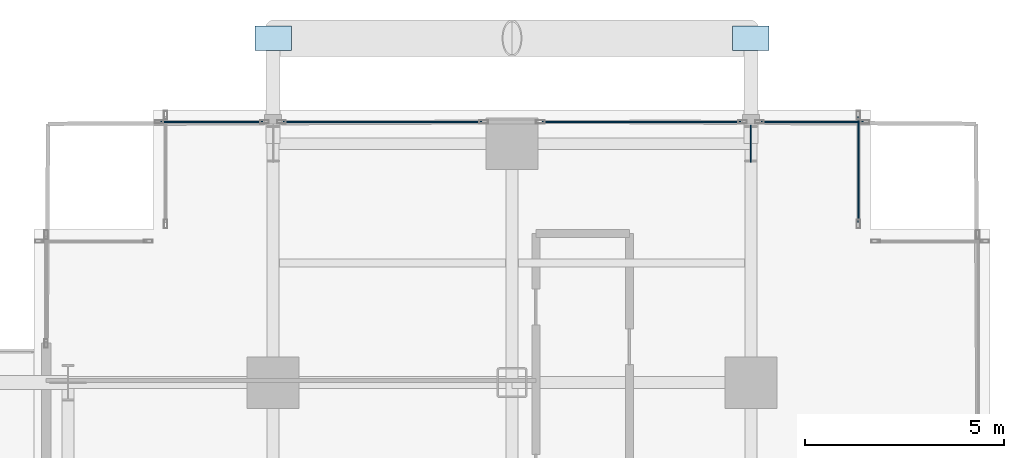
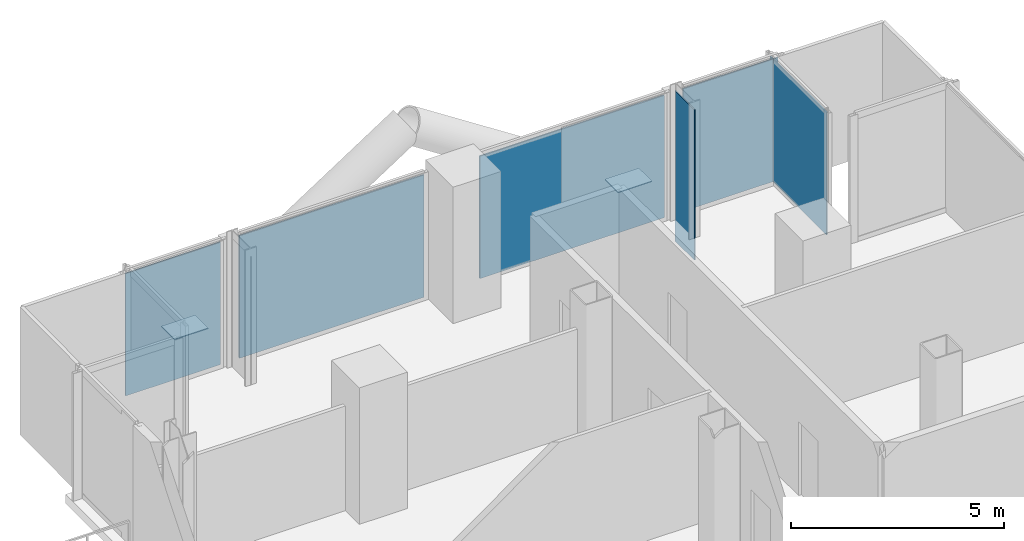
# One storey, part 18 of 27: 8 plates, 5 elements without a shape of their own.
"""IFC4 building model written with IfcOpenShell, lengths in metres."""

from ifc_helpers import new_model, si_unit, direction, frame, origin, origin_2d, place, context, subcontext, project, spatial, rectangle, extrude, material, layer, layer_set, type_object, element, aggregate, save


model = new_model("IFC4")

# Units and contexts
model_context = context("Model", 3, precision=1e-05, world=origin(), true_north=direction((0.0, 1.0)))
body_context = subcontext(model_context, "Body", "Model", "MODEL_VIEW")
ifc_project = project(units=[si_unit("LENGTHUNIT", "METRE"), si_unit("AREAUNIT", "SQUARE_METRE"), si_unit("VOLUMEUNIT", "CUBIC_METRE"), si_unit("PLANEANGLEUNIT", "RADIAN"), si_unit("MASSUNIT", "GRAM", prefix="KILO"), si_unit("THERMODYNAMICTEMPERATUREUNIT", "KELVIN"), si_unit("POWERUNIT", "WATT")], contexts=[model_context])

# Site, building, storey
site_placement = place(None, origin())
site = spatial("IfcSite", under=ifc_project, at=site_placement, CompositionType="ELEMENT")
building_placement = place(site_placement, origin())
building = spatial("IfcBuilding", under=site, at=building_placement, Name="Svarakhadi Broadcast Tower", CompositionType="ELEMENT")
storey_placement = place(building_placement, frame((0.0, 0.0, 87.0)))
storey = spatial("IfcBuildingStorey", under=building, at=storey_placement, Name="L20", CompositionType="ELEMENT", Elevation=87.0)

# Curtain wall, plate
ifc_material_1 = material(Name="Anodised Bronze Aluminium AA 6063-T6", Category="aluminium")
ifc_layer_1 = layer(ifc_material_1, 0.219970703125)
ifc_layer_set_1 = layer_set([ifc_layer_1], Name="Anodised Bronze Aluminium AA 6063-T6")
curtain_wall_type = type_object("IfcCurtainWallType", Name="CW_Sys_02", PredefinedType="NOTDEFINED", material=ifc_layer_set_1)
curtain_wall_1_placement = place(storey_placement, origin())
curtain_wall_1 = element("IfcCurtainWall", 1, at=curtain_wall_1_placement, inside=storey, type_object=curtain_wall_type, Name="L20 Unitised Facade Curtain Wall 06 Bay 1", PredefinedType="NOTDEFINED")
ifc_material_2 = material(Name="Double Low-E Laminated Acoustic Glass IGU 36 mm", Category="glass")
ifc_layer_2 = layer(ifc_material_2, 0.035888671875)
ifc_layer_set_2 = layer_set([ifc_layer_2], Name="Double Low-E Laminated Acoustic Glass IGU 36 mm")
plate_type_1 = type_object("IfcPlateType", Name="CW_Sys_02_Pnl", PredefinedType="CURTAIN_PANEL", material=ifc_layer_set_2)
plate_1_placement = place(storey_placement, frame((4.4599609375, 47.699951171875, 0.074951171875), z_axis=(0.0, 0.0, 1.0), x_axis=(1.0, 0.0, 0.0)))
plate_1 = element("IfcPlate", 2, at=plate_1_placement, type_object=plate_type_1, Name="CW-02 panel 1.1", PredefinedType="CURTAIN_PANEL", context=body_context, shape_type="SweptSolid", body=[
    extrude(rectangle(XDim=2.570068359375, YDim=0.035888671875, at=origin_2d()), origin(), (0.0, 0.0, 1.0), 3.5),
])
aggregate(curtain_wall_1, [plate_1])

curtain_wall_2_placement = place(storey_placement, origin())
curtain_wall_2 = element("IfcCurtainWall", 3, at=curtain_wall_2_placement, inside=storey, type_object=curtain_wall_type, Name="L20 Unitised Facade Curtain Wall 06 Bay 2", PredefinedType="NOTDEFINED")
plate_2_placement = place(storey_placement, frame((8.75, 47.699951171875, 0.074951171875), z_axis=(0.0, 0.0, 1.0), x_axis=(1.0, 0.0, 0.0)))
plate_2 = element("IfcPlate", 4, at=plate_2_placement, type_object=plate_type_1, Name="CW-02 panel 1.1", PredefinedType="CURTAIN_PANEL", context=body_context, shape_type="SweptSolid", body=[
    extrude(rectangle(XDim=4.989990234375, YDim=0.035888671875, at=origin_2d()), origin(), (0.0, 0.0, 1.0), 3.5),
])
aggregate(curtain_wall_2, [plate_2])

curtain_wall_3_placement = place(storey_placement, origin())
curtain_wall_3 = element("IfcCurtainWall", 5, at=curtain_wall_3_placement, inside=storey, type_object=curtain_wall_type, Name="L20 Unitised Facade Curtain Wall 06 Bay 3", PredefinedType="NOTDEFINED")
plate_3_placement = place(storey_placement, frame((15.25, 47.699951171875, 0.074951171875), z_axis=(0.0, 0.0, 1.0), x_axis=(1.0, 0.0, 0.0)))
plate_3 = element("IfcPlate", 6, at=plate_3_placement, type_object=plate_type_1, Name="CW-02 panel 1.1", PredefinedType="CURTAIN_PANEL", context=body_context, shape_type="SweptSolid", body=[
    extrude(rectangle(XDim=4.989990234375, YDim=0.035888671875, at=origin_2d()), origin(), (0.0, 0.0, 1.0), 3.5),
])
aggregate(curtain_wall_3, [plate_3])

curtain_wall_4_placement = place(storey_placement, origin())
curtain_wall_4 = element("IfcCurtainWall", 7, at=curtain_wall_4_placement, inside=storey, type_object=curtain_wall_type, Name="L20 Unitised Facade Curtain Wall 06 Bay 4", PredefinedType="NOTDEFINED")
plate_4_placement = place(storey_placement, frame((19.5400390625, 47.699951171875, 0.074951171875), z_axis=(0.0, 0.0, 1.0), x_axis=(1.0, 0.0, 0.0)))
plate_4 = element("IfcPlate", 8, at=plate_4_placement, type_object=plate_type_1, Name="CW-02 panel 1.1", PredefinedType="CURTAIN_PANEL", context=body_context, shape_type="SweptSolid", body=[
    extrude(rectangle(XDim=2.570068359375, YDim=0.035888671875, at=origin_2d()), origin(), (0.0, 0.0, 1.0), 3.5),
])
aggregate(curtain_wall_4, [plate_4])

curtain_wall_5_placement = place(storey_placement, origin())
curtain_wall_5 = element("IfcCurtainWall", 9, at=curtain_wall_5_placement, inside=storey, type_object=curtain_wall_type, Name="L20 Unitised Facade Curtain Wall 07", PredefinedType="NOTDEFINED")
plate_5_placement = place(storey_placement, frame((20.699951171875, 46.5, 0.074951171875), z_axis=(0.0, 0.0, 1.0), x_axis=(0.0, -1.0, 0.0)))
plate_5 = element("IfcPlate", 10, at=plate_5_placement, type_object=plate_type_1, Name="CW-02 panel 1.1", PredefinedType="CURTAIN_PANEL", context=body_context, shape_type="SweptSolid", body=[
    extrude(rectangle(XDim=2.64990234375, YDim=0.035888671875, at=origin_2d()), origin(), (0.0, 0.0, 1.0), 3.5),
])
aggregate(curtain_wall_5, [plate_5])

# Plates
ifc_material_3 = material(Name="Steel S460ML (IS 2062 E450BR)", Category="steel")
ifc_layer_3 = layer(ifc_material_3, 0.02587890625)
ifc_layer_set_3 = layer_set([ifc_layer_3], Name="Steel S460ML (IS 2062 E450BR)")
plate_type_2 = type_object("IfcPlateType", Name="Node_Gusset_N07", PredefinedType="SHEET", material=ifc_layer_set_3)
for number, where, z_axis, x_axis, name in (
    (11, (6.0, 49.800048828125, -0.25), (0.0, 0.0, 1.0), (1.0, 0.0, 0.0), "L20 Exoskeleton Gusset Node Plate N11"),
    (12, (18.0, 49.800048828125, -0.25), (0.0, 0.0, 1.0), (1.0, 0.0, 0.0), "L20 Exoskeleton Gusset Node Plate N12"),
):
    element("IfcPlate", number, at=place(storey_placement, frame(where, z_axis=z_axis, x_axis=x_axis)), inside=storey, type_object=plate_type_2, Name=name, PredefinedType="SHEET", context=body_context, shape_type="SweptSolid", body=[
        extrude(rectangle(XDim=0.919921875, YDim=0.6201171875, at=origin_2d()), origin(), (0.0, 0.0, 1.0), 0.02587890625),
    ])
plate_6_placement = place(storey_placement, frame((18.0, 47.14990234375, -0.6279296875), z_axis=(0.0, 0.0, 1.0), x_axis=(0.0, 1.0, 0.0)))
element("IfcPlate", 13, at=plate_6_placement, inside=storey, type_object=plate_type_2, Name="L20 Brace End Connection Gusset Plate N-07-E0159", PredefinedType="SHEET", context=body_context, shape_type="SweptSolid", body=[
    extrude(rectangle(XDim=0.919921875, YDim=0.02587890625, at=origin_2d()), origin(), (0.0, 0.0, 1.0), 4.300048828125),
])

save(model, "model.ifc")
